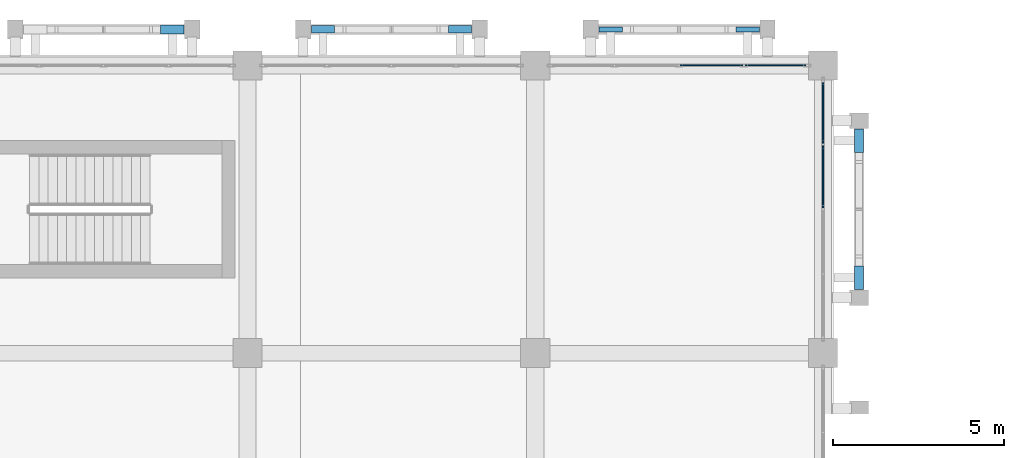
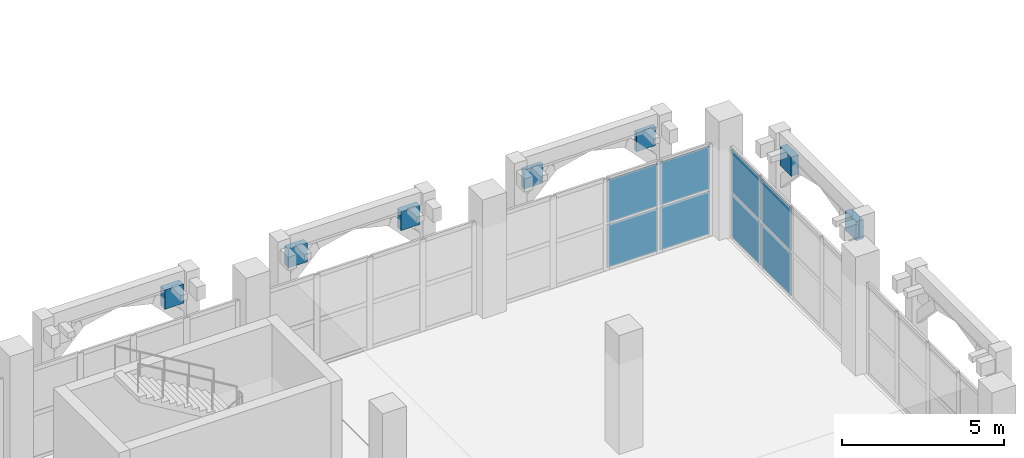
# One storey, part 103 of 137: 15 plates, 2 elements without a shape of their own.
"""IFC4 building model written with IfcOpenShell, lengths in metres."""

from ifc_helpers import new_model, si_unit, direction, frame, origin, origin_2d, place, context, subcontext, project, spatial, rectangle, extrude, material, layer, layer_set, type_object, element, aggregate, save


model = new_model("IFC4")

# Units and contexts
model_context = context("Model", 3, precision=1e-05, world=origin(), true_north=direction((0.0, 1.0)))
body_context = subcontext(model_context, "Body", "Model", "MODEL_VIEW")
ifc_project = project(units=[si_unit("LENGTHUNIT", "METRE"), si_unit("AREAUNIT", "SQUARE_METRE"), si_unit("VOLUMEUNIT", "CUBIC_METRE"), si_unit("PLANEANGLEUNIT", "RADIAN"), si_unit("MASSUNIT", "GRAM", prefix="KILO")], contexts=[model_context])

# Site, building, storey
site_placement = place(None, origin())
site = spatial("IfcSite", under=ifc_project, at=site_placement, CompositionType="ELEMENT")
building_placement = place(site_placement, origin())
building = spatial("IfcBuilding", under=site, at=building_placement, Name="Xazarin Passage Department Store", CompositionType="ELEMENT")
storey_placement = place(building_placement, frame((0.0, 0.0, 5.39990234375)))
storey = spatial("IfcBuildingStorey", under=building, at=storey_placement, Name="L01", CompositionType="ELEMENT", Elevation=5.39990234375)

# Curtain wall, plates
ifc_material_1 = material(Name="Bronze anodised aluminium", Category="aluminium")
ifc_layer_1 = layer(ifc_material_1, 0.179931640625)
ifc_layer_set_1 = layer_set([ifc_layer_1], Name="Bronze anodised aluminium")
curtain_wall_type = type_object("IfcCurtainWallType", Name="ARC-CW-VIT1", PredefinedType="NOTDEFINED", material=ifc_layer_set_1)
curtain_wall_1_placement = place(storey_placement, origin())
curtain_wall_1 = element("IfcCurtainWall", 1, at=curtain_wall_1_placement, inside=storey, type_object=curtain_wall_type, Name="L01 V1 Curtain Wall 017", PredefinedType="NOTDEFINED")
ifc_material_2 = material(Name="Low-E laminated safety glass", Category="glass")
ifc_layer_2 = layer(ifc_material_2, 0.031982421875)
ifc_layer_set_2 = layer_set([ifc_layer_2], Name="Low-E laminated safety glass")
plate_type_1 = type_object("IfcPlateType", Name="ARC-CWP-GLZ32", PredefinedType="CURTAIN_PANEL", material=ifc_layer_set_2)
plate_1_placement = place(storey_placement, frame((47.143798828125, 110.0, 0.0751953125), z_axis=(0.0, 0.0, 1.0), x_axis=(1.0, 0.0, 0.0)))
plate_1 = element("IfcPlate", 2, at=plate_1_placement, type_object=plate_type_1, Name="CW1 panel 3.1", PredefinedType="CURTAIN_PANEL", context=body_context, shape_type="SweptSolid", body=[
    extrude(rectangle(XDim=1.8125, YDim=0.031982421875, at=origin_2d()), origin(), (0.0, 0.0, 1.0), 1.612548828125),
])
plate_2_placement = place(storey_placement, frame((47.143798828125, 110.0, 1.7626953125), z_axis=(0.0, 0.0, 1.0), x_axis=(1.0, 0.0, 0.0)))
plate_2 = element("IfcPlate", 3, at=plate_2_placement, type_object=plate_type_1, Name="CW1 panel 3.2", PredefinedType="CURTAIN_PANEL", context=body_context, shape_type="SweptSolid", body=[
    extrude(rectangle(XDim=1.8125, YDim=0.031982421875, at=origin_2d()), origin(), (0.0, 0.0, 1.0), 1.612548828125),
])
plate_3_placement = place(storey_placement, frame((49.012451171875, 110.0, 0.0751953125), z_axis=(0.0, 0.0, 1.0), x_axis=(1.0, 0.0, 0.0)))
plate_3 = element("IfcPlate", 4, at=plate_3_placement, type_object=plate_type_1, Name="CW1 panel 4.1", PredefinedType="CURTAIN_PANEL", context=body_context, shape_type="SweptSolid", body=[
    extrude(rectangle(XDim=1.77490234375, YDim=0.031982421875, at=origin_2d()), origin(), (0.0, 0.0, 1.0), 1.612548828125),
])
plate_4_placement = place(storey_placement, frame((49.012451171875, 110.0, 1.7626953125), z_axis=(0.0, 0.0, 1.0), x_axis=(1.0, 0.0, 0.0)))
plate_4 = element("IfcPlate", 5, at=plate_4_placement, type_object=plate_type_1, Name="CW1 panel 4.2", PredefinedType="CURTAIN_PANEL", context=body_context, shape_type="SweptSolid", body=[
    extrude(rectangle(XDim=1.77490234375, YDim=0.031982421875, at=origin_2d()), origin(), (0.0, 0.0, 1.0), 1.612548828125),
])
aggregate(curtain_wall_1, [plate_1, plate_2, plate_3, plate_4])

curtain_wall_2_placement = place(storey_placement, origin())
curtain_wall_2 = element("IfcCurtainWall", 6, at=curtain_wall_2_placement, inside=storey, type_object=curtain_wall_type, Name="L01 V1 Curtain Wall 028", PredefinedType="NOTDEFINED")
plate_5_placement = place(storey_placement, frame((50.39990234375, 106.74365234375, 0.0751953125), z_axis=(0.0, 0.0, 1.0), x_axis=(0.0, 1.0, 0.0)))
plate_5 = element("IfcPlate", 7, at=plate_5_placement, type_object=plate_type_1, Name="CW1 panel 3.1", PredefinedType="CURTAIN_PANEL", context=body_context, shape_type="SweptSolid", body=[
    extrude(rectangle(XDim=1.8125, YDim=0.031982421875, at=origin_2d()), origin(), (0.0, 0.0, 1.0), 1.612548828125),
])
plate_6_placement = place(storey_placement, frame((50.39990234375, 106.74365234375, 1.7626953125), z_axis=(0.0, 0.0, 1.0), x_axis=(0.0, 1.0, 0.0)))
plate_6 = element("IfcPlate", 8, at=plate_6_placement, type_object=plate_type_1, Name="CW1 panel 3.2", PredefinedType="CURTAIN_PANEL", context=body_context, shape_type="SweptSolid", body=[
    extrude(rectangle(XDim=1.8125, YDim=0.031982421875, at=origin_2d()), origin(), (0.0, 0.0, 1.0), 1.612548828125),
])
plate_7_placement = place(storey_placement, frame((50.39990234375, 108.612548828125, 0.0751953125), z_axis=(0.0, 0.0, 1.0), x_axis=(0.0, 1.0, 0.0)))
plate_7 = element("IfcPlate", 9, at=plate_7_placement, type_object=plate_type_1, Name="CW1 panel 4.1", PredefinedType="CURTAIN_PANEL", context=body_context, shape_type="SweptSolid", body=[
    extrude(rectangle(XDim=1.77490234375, YDim=0.031982421875, at=origin_2d()), origin(), (0.0, 0.0, 1.0), 1.612548828125),
])
plate_8_placement = place(storey_placement, frame((50.39990234375, 108.612548828125, 1.7626953125), z_axis=(0.0, 0.0, 1.0), x_axis=(0.0, 1.0, 0.0)))
plate_8 = element("IfcPlate", 10, at=plate_8_placement, type_object=plate_type_1, Name="CW1 panel 4.2", PredefinedType="CURTAIN_PANEL", context=body_context, shape_type="SweptSolid", body=[
    extrude(rectangle(XDim=1.77490234375, YDim=0.031982421875, at=origin_2d()), origin(), (0.0, 0.0, 1.0), 1.612548828125),
])
aggregate(curtain_wall_2, [plate_5, plate_6, plate_7, plate_8])

# Plates
ifc_material_3 = material(Name="Precast concrete C40/50", Category="concrete")
ifc_layer_3 = layer(ifc_material_3, 0.139892578125)
ifc_layer_set_3 = layer_set([ifc_layer_3], Name="Precast concrete C40/50")
plate_type_2 = type_object("IfcPlateType", Name="ARC-PLT-SCR-07", PredefinedType="USERDEFINED", material=ifc_layer_set_3)
for number, where, z_axis, x_axis, name in (
    (11, (44.199951171875, 111.050048828125, 3.26025390625), (0.0, 0.0, 1.0), (1.0, 0.0, 0.0), "L01 V1 Arch Spandrel Tympanum 0047"),
    (12, (48.199951171875, 111.050048828125, 3.26025390625), (0.0, 0.0, 1.0), (1.0, 0.0, 0.0), "L01 V1 Arch Spandrel Tympanum 0048"),
):
    element("IfcPlate", number, at=place(storey_placement, frame(where, z_axis=z_axis, x_axis=x_axis)), inside=storey, type_object=plate_type_2, Name=name, ObjectType="SCREEN PANEL", PredefinedType="USERDEFINED", context=body_context, shape_type="SweptSolid", body=[
        extrude(rectangle(XDim=0.679931640625, YDim=0.139892578125, at=origin_2d()), origin(), (0.0, 0.0, 1.0), 0.719970703125),
    ])
ifc_layer_4 = layer(ifc_material_3, 0.219970703125)
ifc_layer_set_4 = layer_set([ifc_layer_4], Name="Precast concrete C40/50")
plate_type_3 = type_object("IfcPlateType", Name="ARC-PLT-SCR-15", PredefinedType="USERDEFINED", material=ifc_layer_set_4)
for number, where, z_axis, x_axis, name in (
    (13, (35.800048828125, 111.050048828125, 3.26025390625), (0.0, 0.0, 1.0), (1.0, 0.0, 0.0), "L01 V1 Arch Spandrel Tympanum 0035"),
    (14, (39.800048828125, 111.050048828125, 3.26025390625), (0.0, 0.0, 1.0), (1.0, 0.0, 0.0), "L01 V1 Arch Spandrel Tympanum 0036"),
):
    element("IfcPlate", number, at=place(storey_placement, frame(where, z_axis=z_axis, x_axis=x_axis)), inside=storey, type_object=plate_type_3, Name=name, ObjectType="SCREEN PANEL", PredefinedType="USERDEFINED", context=body_context, shape_type="SweptSolid", body=[
        extrude(rectangle(XDim=0.679931640625, YDim=0.219970703125, at=origin_2d()), origin(), (0.0, 0.0, 1.0), 0.719970703125),
    ])
ifc_layer_5 = layer(ifc_material_3, 0.260009765625)
ifc_layer_set_5 = layer_set([ifc_layer_5], Name="Precast concrete C40/50")
plate_type_4 = type_object("IfcPlateType", Name="ARC-PLT-SCR-19", PredefinedType="USERDEFINED", material=ifc_layer_set_5)
for number, where, z_axis, x_axis, name in (
    (15, (31.39990234375, 111.050048828125, 3.26025390625), (0.0, 0.0, 1.0), (1.0, 0.0, 0.0), "L01 V1 Arch Spandrel Tympanum 0020"),
    (16, (51.449951171875, 103.800048828125, 3.26025390625), (0.0, 0.0, 1.0), (0.0, 1.0, 0.0), "L01 V1 Arch Spandrel Tympanum 0159"),
    (17, (51.449951171875, 107.800048828125, 3.26025390625), (0.0, 0.0, 1.0), (0.0, 1.0, 0.0), "L01 V1 Arch Spandrel Tympanum 0160"),
):
    element("IfcPlate", number, at=place(storey_placement, frame(where, z_axis=z_axis, x_axis=x_axis)), inside=storey, type_object=plate_type_4, Name=name, ObjectType="SCREEN PANEL", PredefinedType="USERDEFINED", context=body_context, shape_type="SweptSolid", body=[
        extrude(rectangle(XDim=0.679931640625, YDim=0.260009765625, at=origin_2d()), origin(), (0.0, 0.0, 1.0), 0.719970703125),
    ])

save(model, "model.ifc")
